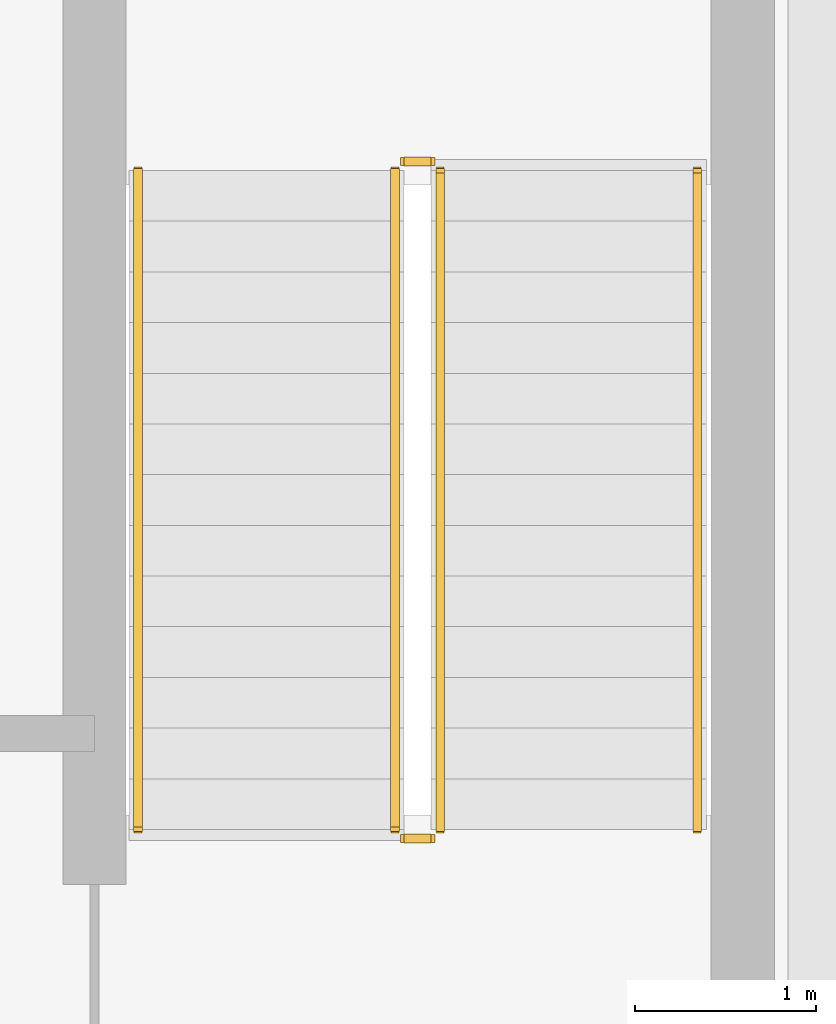
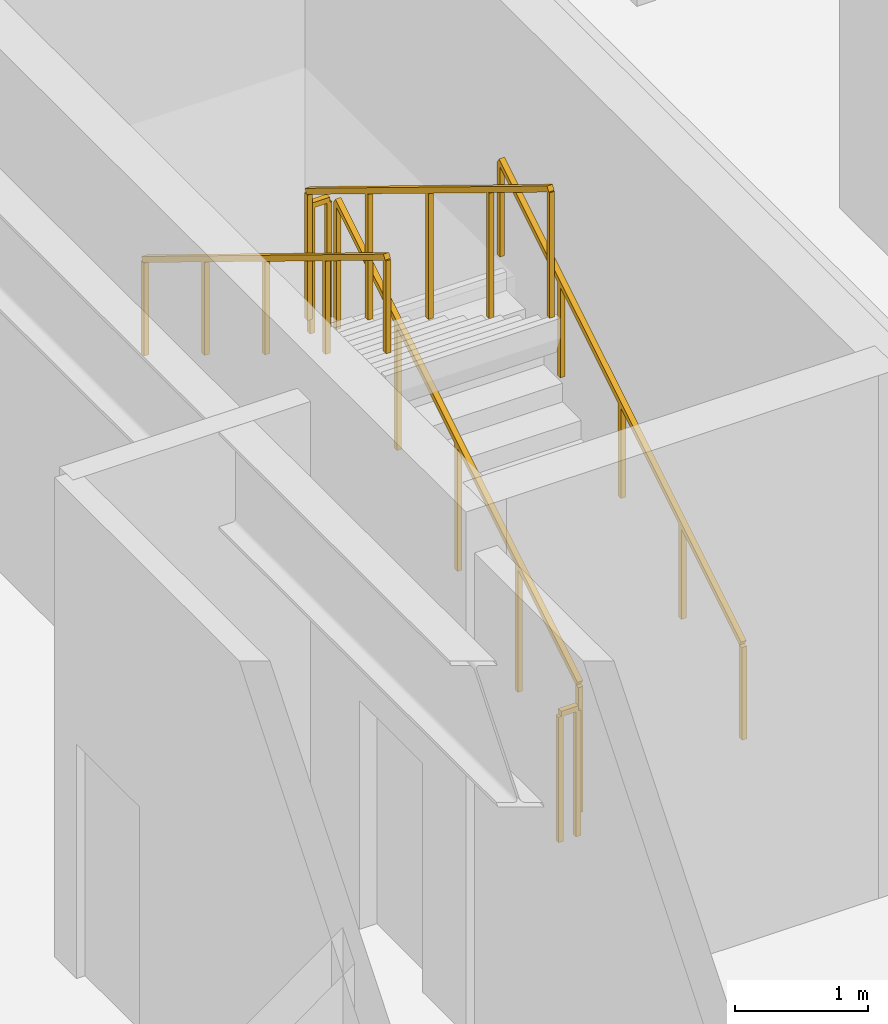
# One storey, part 8 of 8: 6 railings.
"""IFC4 building model written with IfcOpenShell, lengths in metres."""

from ifc_helpers import new_model, si_unit, direction, frame, origin, origin_2d, place, context, subcontext, project, spatial, rectangle, extrude, material, type_object, element, save


model = new_model("IFC4")

# Units and contexts
model_context = context("Model", 3, precision=1e-05, world=origin(), true_north=direction((0.0, 1.0)))
body_context = subcontext(model_context, "Body", "Model", "MODEL_VIEW")
ifc_project = project(units=[si_unit("LENGTHUNIT", "METRE"), si_unit("AREAUNIT", "SQUARE_METRE"), si_unit("VOLUMEUNIT", "CUBIC_METRE"), si_unit("PLANEANGLEUNIT", "RADIAN"), si_unit("MASSUNIT", "GRAM", prefix="KILO")], contexts=[model_context])

# Site, building, storey
site_placement = place(None, origin())
site = spatial("IfcSite", under=ifc_project, at=site_placement, CompositionType="ELEMENT")
building_placement = place(site_placement, origin())
building = spatial("IfcBuilding", under=site, at=building_placement, Name="Orvandelia Arch Residences", CompositionType="ELEMENT")
storey_placement = place(building_placement, frame((0.0, 0.0, 14.800048828125)))
storey = spatial("IfcBuildingStorey", under=building, at=storey_placement, Name="L03", CompositionType="ELEMENT", Elevation=14.800048828125)

# Railings
ifc_material = material(Name="Brushed Stainless Steel 304", Category="steel")
railing_type_1 = type_object("IfcRailingType", Name="RL-STAIR-GD1120", PredefinedType="GUARDRAIL", material=ifc_material)
railing_1_placement = place(storey_placement, frame((45.929931640625, 37.77001953125, 0.17138671875)))
element("IfcRailing", 1, at=railing_1_placement, inside=storey, type_object=railing_type_1, Name="L03 ST-3 stair guard 1", PredefinedType="GUARDRAIL", context=body_context, shape_type="SweptSolid", body=[
    extrude(rectangle(XDim=0.048095703125, YDim=0.048095703125, at=origin_2d()), frame((0.0, 0.0, 1.17578125), z_axis=(0.0, 0.852850264322, 0.5221555579), x_axis=(-1.0, 0.0, 0.0)), (0.0, 0.0, 1.0), 4.267822265625),
    extrude(rectangle(XDim=0.0419921875, YDim=0.0419921875, at=origin_2d()), origin(), (0.0, 0.0, 1.0), 1.15185546875),
    extrude(rectangle(XDim=0.0419921875, YDim=0.0419921875, at=origin_2d()), frame((0.0, 0.909912109375, 0.55712890625)), (0.0, 0.0, 1.0), 1.15185546875),
    extrude(rectangle(XDim=0.0419921875, YDim=0.0419921875, at=origin_2d()), frame((0.0, 1.81982421875, 1.1142578125)), (0.0, 0.0, 1.0), 1.15185546875),
    extrude(rectangle(XDim=0.0419921875, YDim=0.0419921875, at=origin_2d()), frame((0.0, 2.72998046875, 1.67138671875)), (0.0, 0.0, 1.0), 1.15185546875),
    extrude(rectangle(XDim=0.0419921875, YDim=0.0419921875, at=origin_2d()), frame((0.0, 3.639892578125, 2.228515625)), (0.0, 0.0, 1.0), 1.15185546875),
])
railing_2_placement = place(storey_placement, frame((45.8798828125, 41.4599609375, 2.39990234375)))
element("IfcRailing", 2, at=railing_2_placement, inside=storey, type_object=railing_type_1, Name="L03 ST-3 stair guard 2", PredefinedType="GUARDRAIL", context=body_context, shape_type="SweptSolid", body=[
    extrude(rectangle(XDim=0.048095703125, YDim=0.048095703125, at=origin_2d()), frame((0.0, 0.0, 1.17578125), z_axis=(-1.0, 0.0, 0.0), x_axis=(0.0, -1.0, 0.0)), (0.0, 0.0, 1.0), 0.14990234375),
    extrude(rectangle(XDim=0.0419921875, YDim=0.0419921875, at=origin_2d()), origin(), (0.0, 0.0, 1.0), 1.15185546875),
    extrude(rectangle(XDim=0.0419921875, YDim=0.0419921875, at=origin_2d()), frame((-0.14990234375, 0.0, 0.0)), (0.0, 0.0, 1.0), 1.15185546875),
])
railing_3_placement = place(storey_placement, frame((45.679931640625, 41.409912109375, 2.5712890625)))
element("IfcRailing", 3, at=railing_3_placement, inside=storey, type_object=railing_type_1, Name="L03 ST-3 stair guard 3", PredefinedType="GUARDRAIL", context=body_context, shape_type="SweptSolid", body=[
    extrude(rectangle(XDim=0.048095703125, YDim=0.048095703125, at=origin_2d()), frame((0.0, 0.0, 1.17578125), z_axis=(0.0, -0.852824790078, 0.522197163366), x_axis=(1.0, 0.0, 0.0)), (0.0, 0.0, 1.0), 4.26806640625),
    extrude(rectangle(XDim=0.0419921875, YDim=0.0419921875, at=origin_2d()), origin(), (0.0, 0.0, 1.0), 1.15185546875),
    extrude(rectangle(XDim=0.0419921875, YDim=0.0419921875, at=origin_2d()), frame((0.0, -0.909912109375, 0.55712890625)), (0.0, 0.0, 1.0), 1.15185546875),
    extrude(rectangle(XDim=0.0419921875, YDim=0.0419921875, at=origin_2d()), frame((0.0, -1.81982421875, 1.1142578125)), (0.0, 0.0, 1.0), 1.15185546875),
    extrude(rectangle(XDim=0.0419921875, YDim=0.0419921875, at=origin_2d()), frame((0.0, -2.72998046875, 1.671630859375)), (0.0, 0.0, 1.0), 1.15185546875),
    extrude(rectangle(XDim=0.0419921875, YDim=0.0419921875, at=origin_2d()), frame((0.0, -3.639892578125, 2.228759765625)), (0.0, 0.0, 1.0), 1.15185546875),
])
railing_4_placement = place(storey_placement, frame((45.8798828125, 37.719970703125, 0.0)))
element("IfcRailing", 4, at=railing_4_placement, inside=storey, type_object=railing_type_1, Name="L03 ST-3 stair guard 4", PredefinedType="GUARDRAIL", context=body_context, shape_type="SweptSolid", body=[
    extrude(rectangle(XDim=0.048095703125, YDim=0.048095703125, at=origin_2d()), frame((0.0, 0.0, 1.17578125), z_axis=(-1.0, 0.0, 0.0), x_axis=(0.0, -1.0, 0.0)), (0.0, 0.0, 1.0), 0.14990234375),
    extrude(rectangle(XDim=0.0419921875, YDim=0.0419921875, at=origin_2d()), origin(), (0.0, 0.0, 1.0), 1.15185546875),
    extrude(rectangle(XDim=0.0419921875, YDim=0.0419921875, at=origin_2d()), frame((-0.14990234375, 0.0, 0.0)), (0.0, 0.0, 1.0), 1.15185546875),
])
railing_type_2 = type_object("IfcRailingType", Name="RL-STAIR-HR920", PredefinedType="HANDRAIL", material=ifc_material)
railing_5_placement = place(storey_placement, frame((47.35009765625, 37.77001953125, 0.3427734375)))
element("IfcRailing", 5, at=railing_5_placement, inside=storey, type_object=railing_type_2, Name="L03 ST-3 stair handrail 1", PredefinedType="HANDRAIL", context=body_context, shape_type="SweptSolid", body=[
    extrude(rectangle(XDim=0.048095703125, YDim=0.048095703125, at=origin_2d()), frame((0.0, 0.0, 0.8759765625), z_axis=(0.0, 0.852850264322, 0.5221555579), x_axis=(-1.0, 0.0, 0.0)), (0.0, 0.0, 1.0), 4.267822265625),
    extrude(rectangle(XDim=0.0419921875, YDim=0.0419921875, at=origin_2d()), origin(), (0.0, 0.0, 1.0), 0.851806640625),
    extrude(rectangle(XDim=0.0419921875, YDim=0.0419921875, at=origin_2d()), frame((0.0, 0.909912109375, 0.55712890625)), (0.0, 0.0, 1.0), 0.851806640625),
    extrude(rectangle(XDim=0.0419921875, YDim=0.0419921875, at=origin_2d()), frame((0.0, 1.81982421875, 1.1142578125)), (0.0, 0.0, 1.0), 0.851806640625),
    extrude(rectangle(XDim=0.0419921875, YDim=0.0419921875, at=origin_2d()), frame((0.0, 2.72998046875, 1.67138671875)), (0.0, 0.0, 1.0), 0.851806640625),
    extrude(rectangle(XDim=0.0419921875, YDim=0.0419921875, at=origin_2d()), frame((0.0, 3.639892578125, 2.228515625)), (0.0, 0.0, 1.0), 0.851806640625),
])
railing_6_placement = place(storey_placement, frame((44.260009765625, 41.409912109375, 2.742919921875)))
element("IfcRailing", 6, at=railing_6_placement, inside=storey, type_object=railing_type_2, Name="L03 ST-3 stair handrail 2", PredefinedType="HANDRAIL", context=body_context, shape_type="SweptSolid", body=[
    extrude(rectangle(XDim=0.048095703125, YDim=0.048095703125, at=origin_2d()), frame((0.0, 0.0, 0.8759765625), z_axis=(0.0, -0.852850264322, 0.5221555579), x_axis=(1.0, 0.0, 0.0)), (0.0, 0.0, 1.0), 4.267822265625),
    extrude(rectangle(XDim=0.0419921875, YDim=0.0419921875, at=origin_2d()), origin(), (0.0, 0.0, 1.0), 0.851806640625),
    extrude(rectangle(XDim=0.0419921875, YDim=0.0419921875, at=origin_2d()), frame((0.0, -0.909912109375, 0.55712890625)), (0.0, 0.0, 1.0), 0.851806640625),
    extrude(rectangle(XDim=0.0419921875, YDim=0.0419921875, at=origin_2d()), frame((0.0, -1.81982421875, 1.1142578125)), (0.0, 0.0, 1.0), 0.851806640625),
    extrude(rectangle(XDim=0.0419921875, YDim=0.0419921875, at=origin_2d()), frame((0.0, -2.72998046875, 1.67138671875)), (0.0, 0.0, 1.0), 0.851806640625),
    extrude(rectangle(XDim=0.0419921875, YDim=0.0419921875, at=origin_2d()), frame((0.0, -3.639892578125, 2.228515625)), (0.0, 0.0, 1.0), 0.851806640625),
])

save(model, "model.ifc")
